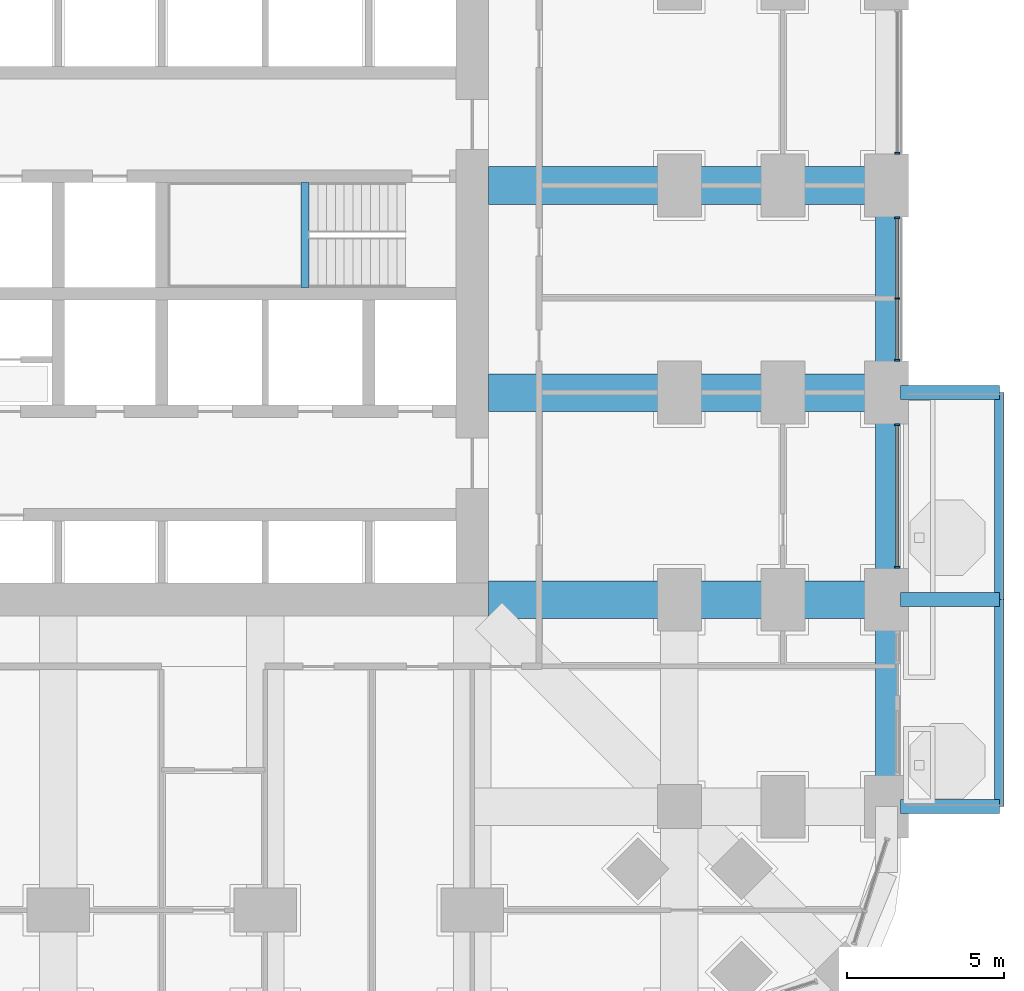
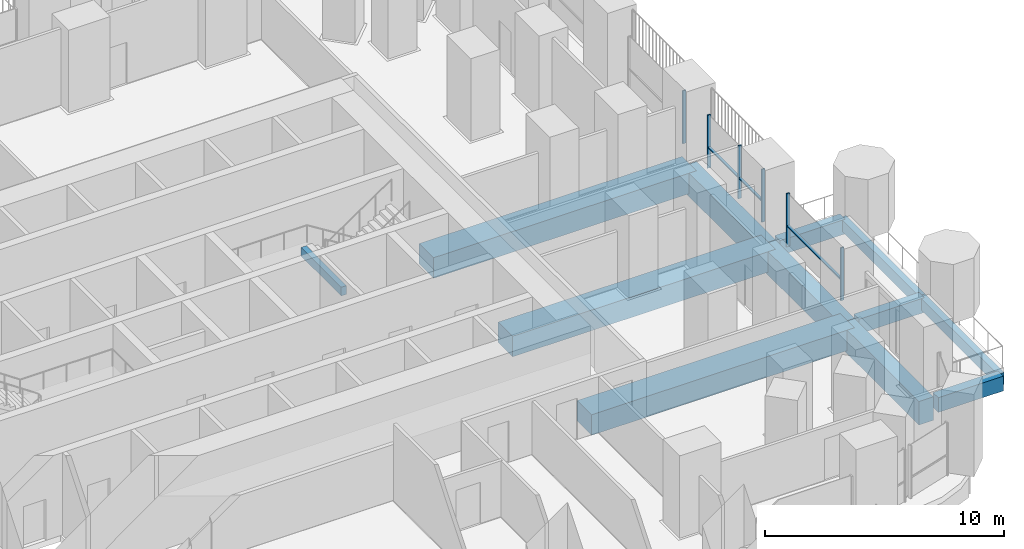
# One storey, part 6 of 25: 12 beams, 9 members, 3 elements without a shape of their own.
"""IFC4 building model written with IfcOpenShell, lengths in metres."""

from ifc_helpers import new_model, si_unit, direction, frame, origin, origin_2d, place, context, subcontext, project, spatial, rectangle, extrude, material, material_profile, profile_set, type_object, element, aggregate, save


model = new_model("IFC4")

# Units and contexts
model_context = context("Model", 3, precision=1e-05, world=origin(), true_north=direction((0.0, 1.0)))
body_context = subcontext(model_context, "Body", "Model", "MODEL_VIEW")
ifc_project = project(units=[si_unit("LENGTHUNIT", "METRE"), si_unit("AREAUNIT", "SQUARE_METRE"), si_unit("VOLUMEUNIT", "CUBIC_METRE"), si_unit("PLANEANGLEUNIT", "RADIAN"), si_unit("MASSUNIT", "GRAM", prefix="KILO")], contexts=[model_context])

# Site, building, storey
site_placement = place(None, origin())
site = spatial("IfcSite", under=ifc_project, at=site_placement, CompositionType="ELEMENT")
building_placement = place(site_placement, origin())
building = spatial("IfcBuilding", under=site, at=building_placement, Name="Cobogo Forest Laboratory Tower", CompositionType="ELEMENT")
storey_placement = place(building_placement, frame((0.0, 0.0, 21.300048828125)))
storey = spatial("IfcBuildingStorey", under=building, at=storey_placement, Name="L04", CompositionType="ELEMENT", Elevation=21.300048828125)

# Beams
ifc_material_1 = material(Name="Concrete HA-40 (C40/50)", Category="concrete")
ifc_material_profile_1 = material_profile(ifc_material_1, rectangle(XDim=0.449951171875, YDim=0.75, at=origin_2d()), Name="RC 450x750")
ifc_profile_set_1 = profile_set([ifc_material_profile_1], Name="Concrete HA-40 (C40/50)")
beam_type_1 = type_object("IfcBeamType", Name="Balcony cantilever beam 450x750", PredefinedType="BEAM", material=ifc_profile_set_1)
for number, where, z_axis, x_axis, name in (
    (1, (53.25, 6.60009765625, -0.625), (1.0, 0.0, 0.0), (0.0, 1.0, 0.0), "CB1 BAL-E1-C1 L04"),
    (2, (53.25, 13.199951171875, -0.625), (1.0, 0.0, 0.0), (0.0, 1.0, 0.0), "CB1 BAL-E1-C2 L04"),
    (3, (53.25, 19.800048828125, -0.625), (1.0, 0.0, 0.0), (0.0, 1.0, 0.0), "CB1 BAL-E1-C3 L04"),
):
    element("IfcBeam", number, at=place(storey_placement, frame(where, z_axis=z_axis, x_axis=x_axis)), inside=storey, type_object=beam_type_1, Name=name, PredefinedType="BEAM", context=body_context, shape_type="SweptSolid", body=[
        extrude(rectangle(XDim=0.449951171875, YDim=0.75, at=origin_2d()), origin(), (0.0, 0.0, 1.0), 3.14990234375),
    ])
ifc_material_profile_2 = material_profile(ifc_material_1, rectangle(XDim=0.300048828125, YDim=0.60009765625, at=origin_2d()), Name="RC 300x600")
ifc_profile_set_2 = profile_set([ifc_material_profile_2], Name="Concrete HA-40 (C40/50)")
beam_type_2 = type_object("IfcBeamType", Name="Balcony edge beam 300x600", PredefinedType="BEAM", material=ifc_profile_set_2)
beam_1_placement = place(storey_placement, frame((56.39990234375, 6.60009765625, -0.550048828125), z_axis=(0.0, 1.0, 0.0), x_axis=(-1.0, 0.0, 0.0)))
element("IfcBeam", 4, at=beam_1_placement, inside=storey, type_object=beam_type_2, Name="BB1 BAL-E1-T1 L04", PredefinedType="BEAM", context=body_context, shape_type="SweptSolid", body=[
    extrude(rectangle(XDim=0.300048828125, YDim=0.60009765625, at=origin_2d()), origin(), (0.0, 0.0, 1.0), 6.599853515625),
])
beam_2_placement = place(storey_placement, frame((56.39990234375, 13.199951171875, -0.550048828125), z_axis=(0.0, 1.0, 0.0), x_axis=(-1.0, 0.0, 0.0)))
element("IfcBeam", 5, at=beam_2_placement, inside=storey, type_object=beam_type_2, Name="BB1 BAL-E1-T2 L04", PredefinedType="BEAM", context=body_context, shape_type="SweptSolid", body=[
    extrude(rectangle(XDim=0.300048828125, YDim=0.60009765625, at=origin_2d()), origin(), (0.0, 0.0, 1.0), 6.60009765625),
])
ifc_material_profile_3 = material_profile(ifc_material_1, rectangle(XDim=0.25, YDim=0.449951171875, at=origin_2d()), Name="RC 250x450")
ifc_profile_set_3 = profile_set([ifc_material_profile_3], Name="Concrete HA-40 (C40/50)")
beam_type_3 = type_object("IfcBeamType", Name="LB1 landing beam 250x450", PredefinedType="BEAM", material=ifc_profile_set_3)
beam_3_placement = place(storey_placement, frame((34.27001953125, 23.14990234375, 1.675048828125), z_axis=(0.0, 1.0, 0.0), x_axis=(-1.0, 0.0, 0.0)))
element("IfcBeam", 6, at=beam_3_placement, inside=storey, type_object=beam_type_3, Name="Landing beam ST2 L04", PredefinedType="BEAM", context=body_context, shape_type="SweptSolid", body=[
    extrude(rectangle(XDim=0.25, YDim=0.449951171875, at=origin_2d()), origin(), (0.0, 0.0, 1.0), 3.35009765625),
])
ifc_material_profile_4 = material_profile(ifc_material_1, rectangle(XDim=1.199951171875, YDim=1.050048828125, at=origin_2d()), Name="RC 1200x1050")
ifc_profile_set_4 = profile_set([ifc_material_profile_4], Name="Concrete HA-40 (C40/50)")
beam_type_4 = type_object("IfcBeamType", Name="Laboratory floor wide beam 1200x1050", PredefinedType="BEAM", material=ifc_profile_set_4)
for number, where, z_axis, x_axis, name in (
    (7, (40.125, 13.199951171875, -0.824951171875), (1.0, 0.0, 0.0), (0.0, 1.0, 0.0), "RB1 R-C-E L04"),
    (8, (40.125, 19.800048828125, -0.824951171875), (1.0, 0.0, 0.0), (0.0, 1.0, 0.0), "RB1 R-D-E L04"),
    (9, (40.125, 26.39990234375, -0.824951171875), (1.0, 0.0, 0.0), (0.0, 1.0, 0.0), "RB1 R-E-E L04"),
):
    element("IfcBeam", number, at=place(storey_placement, frame(where, z_axis=z_axis, x_axis=x_axis)), inside=storey, type_object=beam_type_4, Name=name, PredefinedType="BEAM", context=body_context, shape_type="SweptSolid", body=[
        extrude(rectangle(XDim=1.199951171875, YDim=1.050048828125, at=origin_2d()), origin(), (0.0, 0.0, 1.0), 12.675048828125),
    ])

# Curtain wall, members
ifc_material_2 = material(Name="Aluminium curtain wall", Category="aluminium")
curtain_wall_type = type_object("IfcCurtainWallType", Name="CW-1 unitised curtain wall, clear glazing, laboratory floors zones A and B", PredefinedType="USERDEFINED", material=ifc_material_2)
curtain_wall_1_placement = place(storey_placement, origin())
curtain_wall_1 = element("IfcCurtainWall", 10, at=curtain_wall_1_placement, inside=storey, type_object=curtain_wall_type, Name="Curtain wall 11 L04", ObjectType="UNITISED CURTAIN WALL", PredefinedType="USERDEFINED")
ifc_material_3 = material(Name="Aluminium mullion", Category="aluminium")
ifc_material_profile_5 = material_profile(ifc_material_3, rectangle(XDim=0.06005859375, YDim=0.159912109375, at=origin_2d()), Name="AL 60x160")
ifc_profile_set_5 = profile_set([ifc_material_profile_5], Name="Aluminium mullion")
member_type_1 = type_object("IfcMemberType", Name="MU-1 aluminium mullion 60x160", PredefinedType="MULLION", material=ifc_profile_set_5)
member_1_placement = place(storey_placement, frame((53.14990234375, 14.22998046875, 0.0), z_axis=(0.0, 0.0, 1.0), x_axis=(0.0, 1.0, 0.0)))
member_1 = element("IfcMember", 11, at=member_1_placement, type_object=member_type_1, Name="CW-1 mullion 1", PredefinedType="MULLION", context=body_context, shape_type="SweptSolid", body=[
    extrude(rectangle(XDim=0.06005859375, YDim=0.159912109375, at=origin_2d()), origin(), (0.0, 0.0, 1.0), 2.699951171875),
])
member_2_placement = place(storey_placement, frame((53.14990234375, 18.77001953125, 0.0), z_axis=(0.0, 0.0, 1.0), x_axis=(0.0, 1.0, 0.0)))
member_2 = element("IfcMember", 12, at=member_2_placement, type_object=member_type_1, Name="CW-1 mullion 2", PredefinedType="MULLION", context=body_context, shape_type="SweptSolid", body=[
    extrude(rectangle(XDim=0.06005859375, YDim=0.159912109375, at=origin_2d()), origin(), (0.0, 0.0, 1.0), 2.699951171875),
])

curtain_wall_2_placement = place(storey_placement, origin())
curtain_wall_2 = element("IfcCurtainWall", 13, at=curtain_wall_2_placement, inside=storey, type_object=curtain_wall_type, Name="Curtain wall 12 L04", ObjectType="UNITISED CURTAIN WALL", PredefinedType="USERDEFINED")
member_3_placement = place(storey_placement, frame((53.14990234375, 20.830078125, 0.0), z_axis=(0.0, 0.0, 1.0), x_axis=(0.0, 1.0, 0.0)))
member_3 = element("IfcMember", 14, at=member_3_placement, type_object=member_type_1, Name="CW-1 mullion 1", PredefinedType="MULLION", context=body_context, shape_type="SweptSolid", body=[
    extrude(rectangle(XDim=0.06005859375, YDim=0.159912109375, at=origin_2d()), origin(), (0.0, 0.0, 1.0), 2.699951171875),
])
member_4_placement = place(storey_placement, frame((53.14990234375, 22.800048828125, 0.0), z_axis=(0.0, 0.0, 1.0), x_axis=(0.0, 1.0, 0.0)))
member_4 = element("IfcMember", 15, at=member_4_placement, type_object=member_type_1, Name="CW-1 mullion 2", PredefinedType="MULLION", context=body_context, shape_type="SweptSolid", body=[
    extrude(rectangle(XDim=0.06005859375, YDim=0.159912109375, at=origin_2d()), origin(), (0.0, 0.0, 1.0), 2.699951171875),
])
member_5_placement = place(storey_placement, frame((53.14990234375, 25.3701171875, 0.0), z_axis=(0.0, 0.0, 1.0), x_axis=(0.0, 1.0, 0.0)))
member_5 = element("IfcMember", 16, at=member_5_placement, type_object=member_type_1, Name="CW-1 mullion 3", PredefinedType="MULLION", context=body_context, shape_type="SweptSolid", body=[
    extrude(rectangle(XDim=0.06005859375, YDim=0.159912109375, at=origin_2d()), origin(), (0.0, 0.0, 1.0), 2.699951171875),
])

# Curtain wall, member
curtain_wall_3_placement = place(storey_placement, origin())
curtain_wall_3 = element("IfcCurtainWall", 17, at=curtain_wall_3_placement, inside=storey, type_object=curtain_wall_type, Name="Curtain wall 13 L04", ObjectType="UNITISED CURTAIN WALL", PredefinedType="USERDEFINED")
member_6_placement = place(storey_placement, frame((53.14990234375, 27.429931640625, 0.0), z_axis=(0.0, 0.0, 1.0), x_axis=(0.0, 1.0, 0.0)))
member_6 = element("IfcMember", 18, at=member_6_placement, type_object=member_type_1, Name="CW-1 mullion 1", PredefinedType="MULLION", context=body_context, shape_type="SweptSolid", body=[
    extrude(rectangle(XDim=0.06005859375, YDim=0.159912109375, at=origin_2d()), origin(), (0.0, 0.0, 1.0), 2.699951171875),
])
aggregate(curtain_wall_3, [member_6])

# Beams
ifc_material_profile_6 = material_profile(ifc_material_1, rectangle(XDim=0.699951171875, YDim=1.199951171875, at=origin_2d()), Name="RC 700x1200")
ifc_profile_set_6 = profile_set([ifc_material_profile_6], Name="Concrete HA-40 (C40/50)")
beam_type_5 = type_object("IfcBeamType", Name="Perimeter edge beam 700x1200", PredefinedType="BEAM", material=ifc_profile_set_6)
beam_4_placement = place(storey_placement, frame((52.800048828125, 6.60009765625, -0.900146484375), z_axis=(0.0, 1.0, 0.0), x_axis=(-1.0, 0.0, 0.0)))
element("IfcBeam", 19, at=beam_4_placement, inside=storey, type_object=beam_type_5, Name="EB1 E-E1 L04", PredefinedType="BEAM", context=body_context, shape_type="SweptSolid", body=[
    extrude(rectangle(XDim=0.699951171875, YDim=1.199951171875, at=origin_2d()), origin(), (0.0, 0.0, 1.0), 6.599853515625),
])
beam_5_placement = place(storey_placement, frame((52.800048828125, 13.199951171875, -0.900146484375), z_axis=(0.0, 1.0, 0.0), x_axis=(-1.0, 0.0, 0.0)))
element("IfcBeam", 20, at=beam_5_placement, inside=storey, type_object=beam_type_5, Name="EB1 E-E2 L04", PredefinedType="BEAM", context=body_context, shape_type="SweptSolid", body=[
    extrude(rectangle(XDim=0.699951171875, YDim=1.199951171875, at=origin_2d()), origin(), (0.0, 0.0, 1.0), 6.60009765625),
])
beam_6_placement = place(storey_placement, frame((52.800048828125, 19.800048828125, -0.900146484375), z_axis=(0.0, 1.0, 0.0), x_axis=(-1.0, 0.0, 0.0)))
element("IfcBeam", 21, at=beam_6_placement, inside=storey, type_object=beam_type_5, Name="EB1 E-E3 L04", PredefinedType="BEAM", context=body_context, shape_type="SweptSolid", body=[
    extrude(rectangle(XDim=0.699951171875, YDim=1.199951171875, at=origin_2d()), origin(), (0.0, 0.0, 1.0), 6.599853515625),
])

# Member
ifc_material_4 = material(Name="Aluminium transom", Category="aluminium")
ifc_material_profile_7 = material_profile(ifc_material_4, rectangle(XDim=0.1201171875, YDim=0.06005859375, at=origin_2d()), Name="AL 60x120")
ifc_profile_set_7 = profile_set([ifc_material_profile_7], Name="Aluminium transom")
member_type_2 = type_object("IfcMemberType", Name="TR-1 aluminium transom 60x120", PredefinedType="USERDEFINED", material=ifc_profile_set_7)
member_7_placement = place(storey_placement, frame((53.14990234375, 14.260009765625, 1.050048828125), z_axis=(0.0, 1.0, 0.0), x_axis=(-1.0, 0.0, 0.0)))
member_7 = element("IfcMember", 22, at=member_7_placement, type_object=member_type_2, Name="CW-1 transom 1.1", ObjectType="TRANSOM", PredefinedType="USERDEFINED", context=body_context, shape_type="SweptSolid", body=[
    extrude(rectangle(XDim=0.1201171875, YDim=0.06005859375, at=origin_2d()), origin(), (0.0, 0.0, 1.0), 4.47998046875),
])

aggregate(curtain_wall_1, [member_1, member_2, member_7])

member_8_placement = place(storey_placement, frame((53.14990234375, 20.860107421875, 1.050048828125), z_axis=(0.0, 1.0, 0.0), x_axis=(-1.0, 0.0, 0.0)))
member_8 = element("IfcMember", 23, at=member_8_placement, type_object=member_type_2, Name="CW-1 transom 1.1", ObjectType="TRANSOM", PredefinedType="USERDEFINED", context=body_context, shape_type="SweptSolid", body=[
    extrude(rectangle(XDim=0.1201171875, YDim=0.06005859375, at=origin_2d()), origin(), (0.0, 0.0, 1.0), 1.909912109375),
])

member_9_placement = place(storey_placement, frame((53.14990234375, 22.830078125, 1.050048828125), z_axis=(0.0, 1.0, 0.0), x_axis=(-1.0, 0.0, 0.0)))
member_9 = element("IfcMember", 24, at=member_9_placement, type_object=member_type_2, Name="CW-1 transom 2.1", ObjectType="TRANSOM", PredefinedType="USERDEFINED", context=body_context, shape_type="SweptSolid", body=[
    extrude(rectangle(XDim=0.1201171875, YDim=0.06005859375, at=origin_2d()), origin(), (0.0, 0.0, 1.0), 2.510009765625),
])

aggregate(curtain_wall_2, [member_3, member_4, member_5, member_8, member_9])

save(model, "model.ifc")
